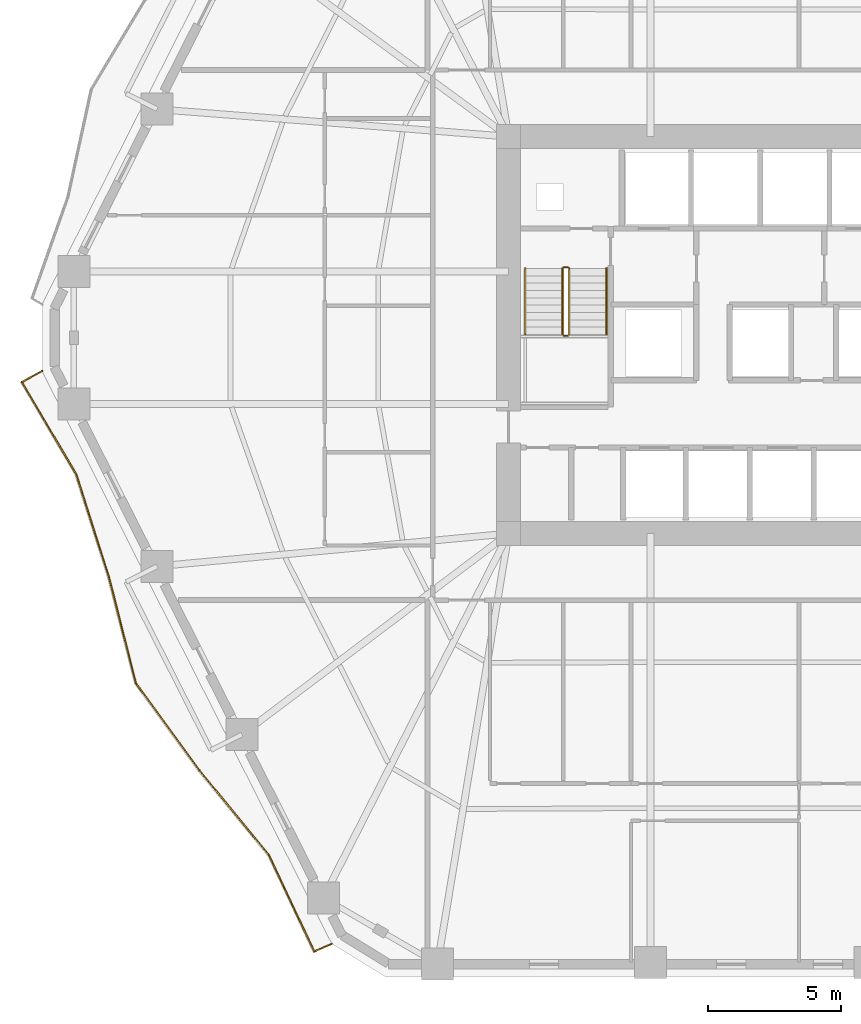
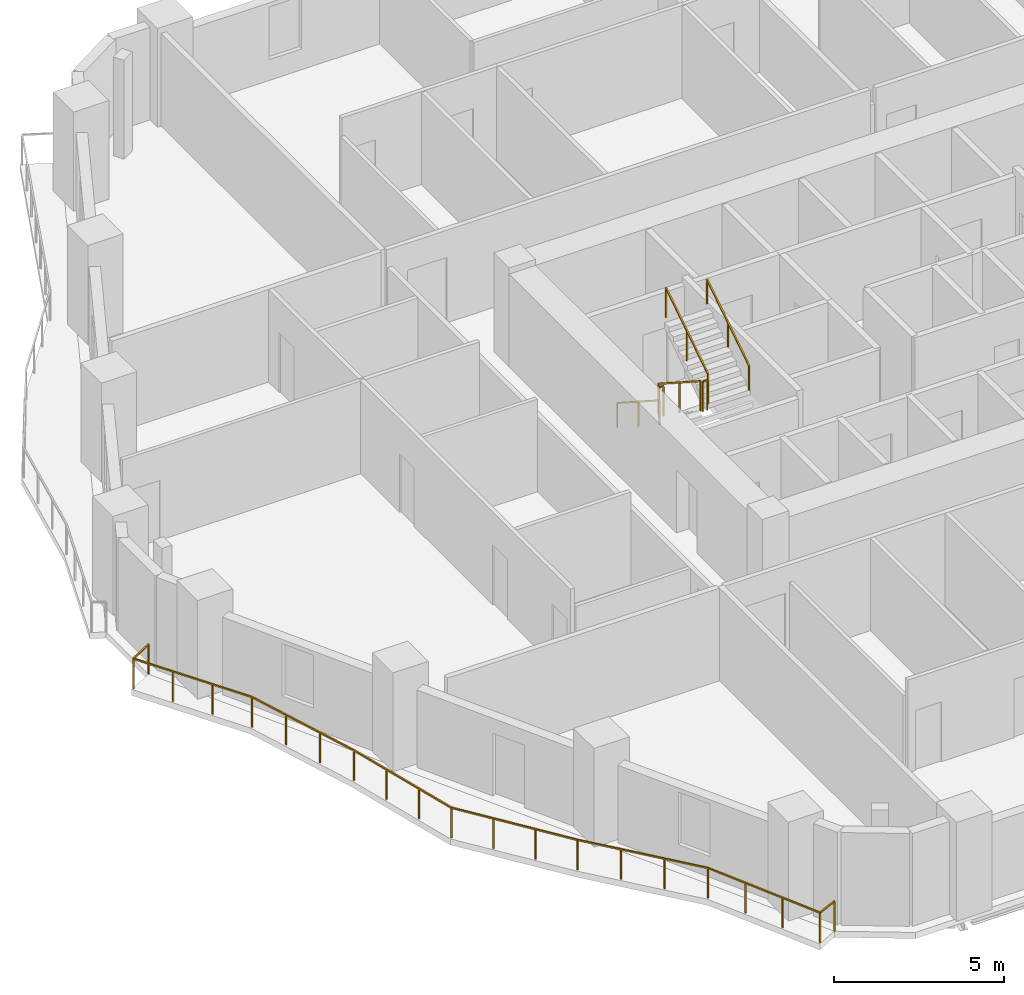
# One storey, part 9 of 11: 7 railings.
"""IFC4 building model written with IfcOpenShell, lengths in metres."""

import ifcopenshell
import ifcopenshell.guid

model = None  # the IFC model being written
_history = None  # IfcOwnerHistory: only IFC2X3 demands one
_inside = {}  # id of a spatial element -> (the spatial element, [elements in it])
_under = {}  # id of a project, library or spatial element -> (it, [spatial elements below it])
_declared = {}  # id of a project -> (the project, [libraries it declares])
_typed = {}  # id of a type object -> (the type object, [elements of that type])
_made_of = {}  # id of a material, layer set ... -> (it, [elements and type objects made of it])


def new_model(schema):
    """Start an empty IFC model of exactly this schema.

    Asked for "IFC4X3", IfcOpenShell would pick the latest addendum, in which some entities
    have other attributes; the version numbers below select the first issue.
    IFC2X3 requires an IfcOwnerHistory on every rooted entity: one is made here for all.
    """
    global model, _history
    if schema == "IFC4X3":
        model = ifcopenshell.file(schema_version=(4, 3, 0, 0))
    else:
        model = ifcopenshell.file(schema=schema)
    _inside.clear()
    _under.clear()
    _declared.clear()
    _typed.clear()
    _made_of.clear()
    _history = None
    if model.schema == "IFC2X3":
        org = make("IfcOrganization", Name="unknown")
        user = make(
            "IfcPersonAndOrganization",
            ThePerson=make("IfcPerson", FamilyName="unknown"),
            TheOrganization=org,
        )
        app = make(
            "IfcApplication",
            ApplicationDeveloper=org,
            Version="unknown",
            ApplicationFullName="unknown",
            ApplicationIdentifier="unknown",
        )
        _history = make(
            "IfcOwnerHistory",
            OwningUser=user,
            OwningApplication=app,
            ChangeAction="ADDED",
            CreationDate=0,
        )
    return model


def make(cls, **values):
    """One entity of the class cls with the attributes given. An attribute that is None is left unset."""
    return model.create_entity(
        cls, **{name: value for name, value in values.items() if value is not None}
    )


def rooted(cls, **values):
    """An entity with a GlobalId (a new one), such as an element, a storey or a relation."""
    return make(cls, GlobalId=ifcopenshell.guid.new(), OwnerHistory=_history, **values)


def si_unit(unit_type, name, prefix=None):
    """IfcSIUnit, for example si_unit("LENGTHUNIT", "METRE", prefix="MILLI")."""
    return make("IfcSIUnit", UnitType=unit_type, Prefix=prefix, Name=name)


def assignment(units):
    """IfcUnitAssignment: the units of a project."""
    return None if units is None else make("IfcUnitAssignment", Units=units)


def point(xyz):
    """IfcCartesianPoint."""
    return None if xyz is None else make("IfcCartesianPoint", Coordinates=xyz)


def direction(xyz):
    """IfcDirection."""
    return None if xyz is None else make("IfcDirection", DirectionRatios=xyz)


def frame(location, z_axis=None, x_axis=None):
    """IfcAxis2Placement3D, a coordinate frame: its origin and axes. An axis left out is left unset."""
    return make(
        "IfcAxis2Placement3D",
        Location=point(location),
        Axis=direction(z_axis),
        RefDirection=direction(x_axis),
    )


def frame_2d(location, x_axis=None):
    """IfcAxis2Placement2D, a coordinate frame in the plane: its origin and x axis."""
    return make(
        "IfcAxis2Placement2D", Location=point(location), RefDirection=direction(x_axis)
    )


def origin():
    """The frame at (0, 0, 0) with its axes left unset."""
    return frame((0.0, 0.0, 0.0))


def origin_2d():
    """The frame at (0, 0) in the plane with its x axis left unset."""
    return frame_2d((0.0, 0.0))


def place(relative_to, where):
    """IfcLocalPlacement: puts the frame where relative to a parent placement (None: the world)."""
    return make(
        "IfcLocalPlacement", PlacementRelTo=relative_to, RelativePlacement=where
    )


def context(
    kind, dimensions, precision=None, world=None, true_north=None, identifier=None
):
    """IfcGeometricRepresentationContext, for example the 3D "Model" context."""
    return make(
        "IfcGeometricRepresentationContext",
        ContextIdentifier=identifier,
        ContextType=kind,
        CoordinateSpaceDimension=dimensions,
        Precision=precision,
        WorldCoordinateSystem=world,
        TrueNorth=true_north,
    )


def subcontext(parent, identifier, kind, view, scale=None):
    """IfcGeometricRepresentationSubContext, for example "Body" below "Model"."""
    return make(
        "IfcGeometricRepresentationSubContext",
        ContextIdentifier=identifier,
        ContextType=kind,
        ParentContext=parent,
        TargetScale=scale,
        TargetView=view,
    )


def project(units=None, contexts=None):
    """IfcProject with its units and contexts."""
    return rooted(
        "IfcProject",
        Name="project",
        RepresentationContexts=contexts,
        UnitsInContext=assignment(units),
    )


def spatial(cls, under=None, at=None, **own):
    """A site, building, storey or space (cls), placed at a placement, below another one or the project."""
    s = rooted(cls, ObjectPlacement=at, **own)
    if under is not None:
        _under.setdefault(under.id(), (under, []))[1].append(s)
    return s


def profile(cls, at=None, kind="AREA", **sizes):
    """A parametric profile (cls). Its sizes go by their IFC names, for example OverallWidth=200.0."""
    return make(cls, ProfileType=kind, Position=at, **sizes)


def rectangle(**sizes):
    """IfcRectangleProfileDef."""
    return profile("IfcRectangleProfileDef", **sizes)


def extrude(swept, where, along, depth):
    """IfcExtrudedAreaSolid: the profile swept, set in the frame where, extruded along a direction by depth."""
    return make(
        "IfcExtrudedAreaSolid",
        SweptArea=swept,
        Position=where,
        ExtrudedDirection=direction(along),
        Depth=depth,
    )


def shape(context_of_items, identifier, shape_type, items):
    """IfcShapeRepresentation: the items that make up one representation, for example the "Body"."""
    return make(
        "IfcShapeRepresentation",
        ContextOfItems=context_of_items,
        RepresentationIdentifier=identifier,
        RepresentationType=shape_type,
        Items=items,
    )


def material(Name=None, Category=None):
    """IfcMaterial."""
    return make("IfcMaterial", Name=Name, Category=Category)


def made_of(thing, what):
    """Note that an element or type object is made of a material, layer set ...; save() writes the relation."""
    if what is not None:
        _made_of.setdefault(what.id(), (what, []))[1].append(thing)
    return thing


def type_object(cls, material=None, **own):
    """A type object (cls), such as IfcWallType, which elements share."""
    return made_of(rooted(cls, **own), material)


def element(
    cls,
    number,
    at=None,
    inside=None,
    cuts=None,
    type_object=None,
    material=None,
    context=None,
    identifier="Body",
    shape_type=None,
    held_by="IfcProductDefinitionShape",
    body=None,
    shapes=None,
    **own,
):
    """One element of the class cls, such as IfcWall. Its Tag is "e" and its number.

    at: its placement. inside: the storey or other place that contains it. cuts: it is an
    opening in that element (IfcRelVoidsElement). A single representation is given by context,
    identifier, shape_type and body (its items); several are given by shapes. held_by: the class
    of the entity that holds the representations. save() writes the other relations.
    """
    e = rooted(cls, Tag="e%d" % number, ObjectPlacement=at, **own)
    if body is not None:
        shapes = [shape(context, identifier, shape_type, body)]
    if shapes is not None:
        e.Representation = make(held_by, Representations=shapes)
    if inside is not None:
        _inside.setdefault(inside.id(), (inside, []))[1].append(e)
    if cuts is not None:
        rooted(
            "IfcRelVoidsElement", RelatingBuildingElement=cuts, RelatedOpeningElement=e
        )
    if type_object is not None:
        _typed.setdefault(type_object.id(), (type_object, []))[1].append(e)
    return made_of(e, material)


def aggregate(whole, parts):
    """IfcRelAggregates: a whole, such as a stair, and the parts it consists of."""
    return rooted("IfcRelAggregates", RelatingObject=whole, RelatedObjects=parts)


def save(model, path):
    """Write the relations noted so far, then the file.

    IfcRelAggregates (storeys below a building ...), IfcRelContainedInSpatialStructure (elements
    in a storey), IfcRelDefinesByType, IfcRelAssociatesMaterial and IfcRelDeclares: one each for
    every whole, place, type object, material and project.
    """
    for whole, parts in _under.values():
        aggregate(whole, parts)
    for where, things in _inside.values():
        rooted(
            "IfcRelContainedInSpatialStructure",
            RelatedElements=things,
            RelatingStructure=where,
        )
    for kind, things in _typed.values():
        rooted("IfcRelDefinesByType", RelatedObjects=things, RelatingType=kind)
    for what, things in _made_of.values():
        rooted("IfcRelAssociatesMaterial", RelatedObjects=things, RelatingMaterial=what)
    for by, libraries in _declared.values():
        rooted("IfcRelDeclares", RelatingContext=by, RelatedDefinitions=libraries)
    model.write(path)


model = new_model("IFC4")

# Units and contexts
model_context = context("Model", 3, precision=1e-05, world=origin(), true_north=direction((0.0, 1.0)))
body_context = subcontext(model_context, "Body", "Model", "MODEL_VIEW")
ifc_project = project(units=[si_unit("LENGTHUNIT", "METRE"), si_unit("AREAUNIT", "SQUARE_METRE"), si_unit("VOLUMEUNIT", "CUBIC_METRE"), si_unit("PLANEANGLEUNIT", "RADIAN"), si_unit("MASSUNIT", "GRAM", prefix="KILO")], contexts=[model_context])

# Site, building, storey
site_placement = place(None, origin())
site = spatial("IfcSite", under=ifc_project, at=site_placement, CompositionType="ELEMENT")
building_placement = place(site_placement, origin())
building = spatial("IfcBuilding", under=site, at=building_placement, Name="Cinnabar Lancet Tower", CompositionType="ELEMENT")
storey_placement = place(building_placement, frame((0.0, 0.0, 56.85009765625)))
storey = spatial("IfcBuildingStorey", under=building, at=storey_placement, Name="L14", CompositionType="ELEMENT", Elevation=56.85009765625)

# Railings
ifc_material_1 = material(Name="Laminated safety glass and bronze stainless steel balustrade", Category="steel")
railing_type_1 = type_object("IfcRailingType", Name="ENV-RLG-BAL-1100", PredefinedType="BALUSTRADE", material=ifc_material_1)
railing_1_placement = place(storey_placement, frame((5.431884765625, 24.551025390625, 0.0)))
element("IfcRailing", 1, at=railing_1_placement, inside=storey, type_object=railing_type_1, Name="L14 Face 6 Wave Balcony Balustrade", PredefinedType="BALUSTRADE", context=body_context, shape_type="SweptSolid", body=[
    extrude(rectangle(XDim=0.048095703125, YDim=0.048095703125, at=origin_2d()), frame((0.0, 0.0, 1.076171875), z_axis=(-0.876766127692, -0.480916996302, 0.0), x_axis=(0.480916996302, -0.876766127692, 0.0)), (0.0, 0.0, 1.0), 0.861083984375),
    extrude(rectangle(XDim=0.048095703125, YDim=0.048095703125, at=origin_2d()), frame((-0.7548828125, -0.4140625, 1.076171875), z_axis=(0.508114580479, -0.861289482755, 0.0), x_axis=(0.861289482755, 0.508114580479, 0.0)), (0.0, 0.0, 1.0), 4.014892578125),
    extrude(rectangle(XDim=0.048095703125, YDim=0.048095703125, at=origin_2d()), frame((1.28515625, -3.8720703125, 1.076171875), z_axis=(0.303111771457, -0.952955011532, 0.0), x_axis=(0.952955011532, 0.303111771457, 0.0)), (0.0, 0.0, 1.0), 4.057861328125),
    extrude(rectangle(XDim=0.048095703125, YDim=0.048095703125, at=origin_2d()), frame((2.51513671875, -7.739013671875, 1.076171875), z_axis=(0.246089095042, -0.969247211655, 0.0), x_axis=(0.969247211655, 0.246089095042, 0.0)), (0.0, 0.0, 1.0), 4.104248046875),
    extrude(rectangle(XDim=0.048095703125, YDim=0.048095703125, at=origin_2d()), frame((3.525146484375, -11.717041015625, 1.076171875), z_axis=(0.588454265244, -0.808530505124, 0.0), x_axis=(0.808530505124, 0.588454265244, 0.0)), (0.0, 0.0, 1.0), 4.05810546875),
    extrude(rectangle(XDim=0.048095703125, YDim=0.048095703125, at=origin_2d()), frame((5.9130859375, -14.998046875, 1.076171875), z_axis=(0.634927142423, -0.77257201853, 0.0), x_axis=(0.77257201853, 0.634927142423, 0.0)), (0.0, 0.0, 1.0), 4.104248046875),
    extrude(rectangle(XDim=0.048095703125, YDim=0.048095703125, at=origin_2d()), frame((8.51904296875, -18.1689453125, 1.076171875), z_axis=(0.425034426586, -0.905177184985, 0.0), x_axis=(0.905177184985, 0.425034426586, 0.0)), (0.0, 0.0, 1.0), 4.00927734375),
    extrude(rectangle(XDim=0.048095703125, YDim=0.048095703125, at=origin_2d()), frame((10.22314453125, -21.798095703125, 1.076171875), z_axis=(0.911661425342, 0.41094214379, 0.0), x_axis=(-0.41094214379, 0.911661425342, 0.0)), (0.0, 0.0, 1.0), 0.720703125),
    extrude(rectangle(XDim=0.0419921875, YDim=0.0419921875, at=origin_2d()), origin(), (0.0, 0.0, 1.0), 1.052001953125),
    extrude(rectangle(XDim=0.0419921875, YDim=0.0419921875, at=origin_2d()), frame((-0.7548828125, -0.4140625, 0.0)), (0.0, 0.0, 1.0), 1.052001953125),
    extrude(rectangle(XDim=0.0419921875, YDim=0.0419921875, at=origin_2d()), frame((-0.074951171875, -1.566650390625, 0.0)), (0.0, 0.0, 1.0), 1.052001953125),
    extrude(rectangle(XDim=0.0419921875, YDim=0.0419921875, at=origin_2d()), frame((0.605224609375, -2.719482421875, 0.0)), (0.0, 0.0, 1.0), 1.052001953125),
    extrude(rectangle(XDim=0.0419921875, YDim=0.0419921875, at=origin_2d()), frame((1.28515625, -3.8720703125, 0.0)), (0.0, 0.0, 1.0), 1.052001953125),
    extrude(rectangle(XDim=0.0419921875, YDim=0.0419921875, at=origin_2d()), frame((1.695068359375, -5.1611328125, 0.0)), (0.0, 0.0, 1.0), 1.052001953125),
    extrude(rectangle(XDim=0.0419921875, YDim=0.0419921875, at=origin_2d()), frame((2.105224609375, -6.449951171875, 0.0)), (0.0, 0.0, 1.0), 1.052001953125),
    extrude(rectangle(XDim=0.0419921875, YDim=0.0419921875, at=origin_2d()), frame((2.51513671875, -7.739013671875, 0.0)), (0.0, 0.0, 1.0), 1.052001953125),
    extrude(rectangle(XDim=0.0419921875, YDim=0.0419921875, at=origin_2d()), frame((2.851806640625, -9.06494140625, 0.0)), (0.0, 0.0, 1.0), 1.052001953125),
    extrude(rectangle(XDim=0.0419921875, YDim=0.0419921875, at=origin_2d()), frame((3.1884765625, -10.39111328125, 0.0)), (0.0, 0.0, 1.0), 1.052001953125),
    extrude(rectangle(XDim=0.0419921875, YDim=0.0419921875, at=origin_2d()), frame((3.525146484375, -11.717041015625, 0.0)), (0.0, 0.0, 1.0), 1.052001953125),
    extrude(rectangle(XDim=0.0419921875, YDim=0.0419921875, at=origin_2d()), frame((4.321044921875, -12.810791015625, 0.0)), (0.0, 0.0, 1.0), 1.052001953125),
    extrude(rectangle(XDim=0.0419921875, YDim=0.0419921875, at=origin_2d()), frame((5.1171875, -13.904296875, 0.0)), (0.0, 0.0, 1.0), 1.052001953125),
    extrude(rectangle(XDim=0.0419921875, YDim=0.0419921875, at=origin_2d()), frame((5.9130859375, -14.998046875, 0.0)), (0.0, 0.0, 1.0), 1.052001953125),
    extrude(rectangle(XDim=0.0419921875, YDim=0.0419921875, at=origin_2d()), frame((6.78173828125, -16.054931640625, 0.0)), (0.0, 0.0, 1.0), 1.052001953125),
    extrude(rectangle(XDim=0.0419921875, YDim=0.0419921875, at=origin_2d()), frame((7.650390625, -17.112060546875, 0.0)), (0.0, 0.0, 1.0), 1.052001953125),
    extrude(rectangle(XDim=0.0419921875, YDim=0.0419921875, at=origin_2d()), frame((8.51904296875, -18.1689453125, 0.0)), (0.0, 0.0, 1.0), 1.052001953125),
    extrude(rectangle(XDim=0.0419921875, YDim=0.0419921875, at=origin_2d()), frame((9.087158203125, -19.378662109375, 0.0)), (0.0, 0.0, 1.0), 1.052001953125),
    extrude(rectangle(XDim=0.0419921875, YDim=0.0419921875, at=origin_2d()), frame((9.655029296875, -20.58837890625, 0.0)), (0.0, 0.0, 1.0), 1.052001953125),
    extrude(rectangle(XDim=0.0419921875, YDim=0.0419921875, at=origin_2d()), frame((10.22314453125, -21.798095703125, 0.0)), (0.0, 0.0, 1.0), 1.052001953125),
    extrude(rectangle(XDim=0.0419921875, YDim=0.0419921875, at=origin_2d()), frame((10.880126953125, -21.501953125, 0.0)), (0.0, 0.0, 1.0), 1.052001953125),
])
ifc_material_2 = material(Name="Painted galvanized steel balustrade", Category="steel")
railing_type_2 = type_object("IfcRailingType", Name="GUARD-STAIR", PredefinedType="GUARDRAIL", material=ifc_material_2)
railing_2_placement = place(storey_placement, frame((24.97509765625, 28.39990234375, 0.177490234375)))
element("IfcRailing", 2, at=railing_2_placement, inside=storey, type_object=railing_type_2, Name="L14 ST-1 stair guard 1", PredefinedType="GUARDRAIL", context=body_context, shape_type="SweptSolid", body=[
    extrude(rectangle(XDim=0.048095703125, YDim=0.048095703125, at=origin_2d()), frame((0.0, 0.0, 1.076171875), z_axis=(0.0, -0.840183358697, 0.542302428327), x_axis=(1.0, 0.0, 0.0)), (0.0, 0.0, 1.0), 2.945556640625),
    extrude(rectangle(XDim=0.0419921875, YDim=0.0419921875, at=origin_2d()), origin(), (0.0, 0.0, 1.0), 1.052001953125),
    extrude(rectangle(XDim=0.0419921875, YDim=0.0419921875, at=origin_2d()), frame((0.0, -1.2373046875, 0.798828125)), (0.0, 0.0, 1.0), 1.052001953125),
    extrude(rectangle(XDim=0.0419921875, YDim=0.0419921875, at=origin_2d()), frame((0.0, -2.474853515625, 1.597412109375)), (0.0, 0.0, 1.0), 1.052001953125),
])
railing_3_placement = place(storey_placement, frame((25.02490234375, 25.875, 1.77490234375)))
element("IfcRailing", 3, at=railing_3_placement, inside=storey, type_object=railing_type_2, Name="L14 ST-1 stair guard 2", PredefinedType="GUARDRAIL", context=body_context, shape_type="SweptSolid", body=[
    extrude(rectangle(XDim=0.048095703125, YDim=0.048095703125, at=origin_2d()), frame((0.0, 0.0, 1.076171875), z_axis=(1.0, 0.0, 0.0), x_axis=(0.0, 1.0, 0.0)), (0.0, 0.0, 1.0), 0.150146484375),
    extrude(rectangle(XDim=0.0419921875, YDim=0.0419921875, at=origin_2d()), origin(), (0.0, 0.0, 1.0), 1.052001953125),
    extrude(rectangle(XDim=0.0419921875, YDim=0.0419921875, at=origin_2d()), frame((0.150146484375, 0.0, 0.0)), (0.0, 0.0, 1.0), 1.052001953125),
])
railing_4_placement = place(storey_placement, frame((25.22509765625, 25.925048828125, 1.952392578125)))
element("IfcRailing", 4, at=railing_4_placement, inside=storey, type_object=railing_type_2, Name="L14 ST-1 stair guard 3", PredefinedType="GUARDRAIL", context=body_context, shape_type="SweptSolid", body=[
    extrude(rectangle(XDim=0.048095703125, YDim=0.048095703125, at=origin_2d()), frame((0.0, 0.0, 1.076171875), z_axis=(0.0, 0.840183358697, 0.542302428327), x_axis=(-1.0, 0.0, 0.0)), (0.0, 0.0, 1.0), 2.945556640625),
    extrude(rectangle(XDim=0.0419921875, YDim=0.0419921875, at=origin_2d()), origin(), (0.0, 0.0, 1.0), 1.052001953125),
    extrude(rectangle(XDim=0.0419921875, YDim=0.0419921875, at=origin_2d()), frame((0.0, 1.2373046875, 0.798828125)), (0.0, 0.0, 1.0), 1.052001953125),
    extrude(rectangle(XDim=0.0419921875, YDim=0.0419921875, at=origin_2d()), frame((0.0, 2.474853515625, 1.597412109375)), (0.0, 0.0, 1.0), 1.052001953125),
])
railing_5_placement = place(storey_placement, frame((25.02490234375, 28.449951171875, 0.0)))
element("IfcRailing", 5, at=railing_5_placement, inside=storey, type_object=railing_type_2, Name="L14 ST-1 stair guard 4", PredefinedType="GUARDRAIL", context=body_context, shape_type="SweptSolid", body=[
    extrude(rectangle(XDim=0.048095703125, YDim=0.048095703125, at=origin_2d()), frame((0.0, 0.0, 1.076171875), z_axis=(1.0, 0.0, 0.0), x_axis=(0.0, 1.0, 0.0)), (0.0, 0.0, 1.0), 0.150146484375),
    extrude(rectangle(XDim=0.0419921875, YDim=0.0419921875, at=origin_2d()), origin(), (0.0, 0.0, 1.0), 1.052001953125),
    extrude(rectangle(XDim=0.0419921875, YDim=0.0419921875, at=origin_2d()), frame((0.150146484375, 0.0, 0.0)), (0.0, 0.0, 1.0), 1.052001953125),
])
ifc_material_3 = material(Name="Brushed stainless steel handrail", Category="steel")
railing_type_3 = type_object("IfcRailingType", Name="HANDRAIL-STAIR", PredefinedType="HANDRAIL", material=ifc_material_3)
railing_6_placement = place(storey_placement, frame((23.574951171875, 28.39990234375, 0.177490234375)))
element("IfcRailing", 6, at=railing_6_placement, inside=storey, type_object=railing_type_3, Name="L14 ST-1 stair handrail 1", PredefinedType="HANDRAIL", context=body_context, shape_type="SweptSolid", body=[
    extrude(rectangle(XDim=0.048095703125, YDim=0.048095703125, at=origin_2d()), frame((0.0, 0.0, 0.8759765625), z_axis=(0.0, -0.840183358697, 0.542302428327), x_axis=(1.0, 0.0, 0.0)), (0.0, 0.0, 1.0), 2.945556640625),
    extrude(rectangle(XDim=0.0419921875, YDim=0.0419921875, at=origin_2d()), origin(), (0.0, 0.0, 1.0), 0.851806640625),
    extrude(rectangle(XDim=0.0419921875, YDim=0.0419921875, at=origin_2d()), frame((0.0, -1.2373046875, 0.798828125)), (0.0, 0.0, 1.0), 0.851806640625),
    extrude(rectangle(XDim=0.0419921875, YDim=0.0419921875, at=origin_2d()), frame((0.0, -2.474853515625, 1.597412109375)), (0.0, 0.0, 1.0), 0.851806640625),
])
railing_7_placement = place(storey_placement, frame((26.625, 25.925048828125, 1.952392578125)))
element("IfcRailing", 7, at=railing_7_placement, inside=storey, type_object=railing_type_3, Name="L14 ST-1 stair handrail 2", PredefinedType="HANDRAIL", context=body_context, shape_type="SweptSolid", body=[
    extrude(rectangle(XDim=0.048095703125, YDim=0.048095703125, at=origin_2d()), frame((0.0, 0.0, 0.8759765625), z_axis=(0.0, 0.840183358697, 0.542302428327), x_axis=(-1.0, 0.0, 0.0)), (0.0, 0.0, 1.0), 2.945556640625),
    extrude(rectangle(XDim=0.0419921875, YDim=0.0419921875, at=origin_2d()), origin(), (0.0, 0.0, 1.0), 0.851806640625),
    extrude(rectangle(XDim=0.0419921875, YDim=0.0419921875, at=origin_2d()), frame((0.0, 1.2373046875, 0.798828125)), (0.0, 0.0, 1.0), 0.851806640625),
    extrude(rectangle(XDim=0.0419921875, YDim=0.0419921875, at=origin_2d()), frame((0.0, 2.474853515625, 1.597412109375)), (0.0, 0.0, 1.0), 0.851806640625),
])

save(model, "model.ifc")
